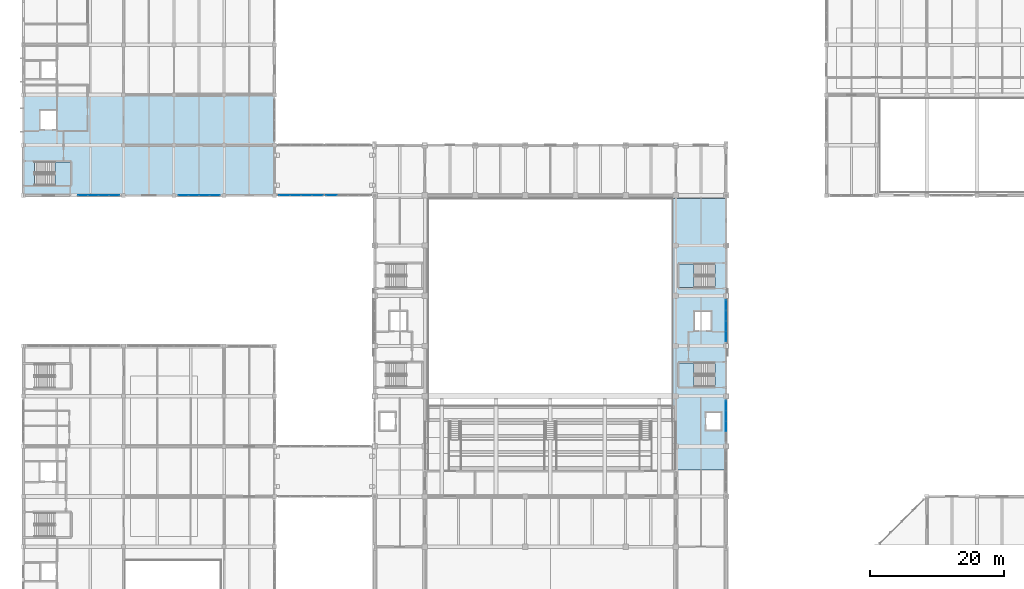
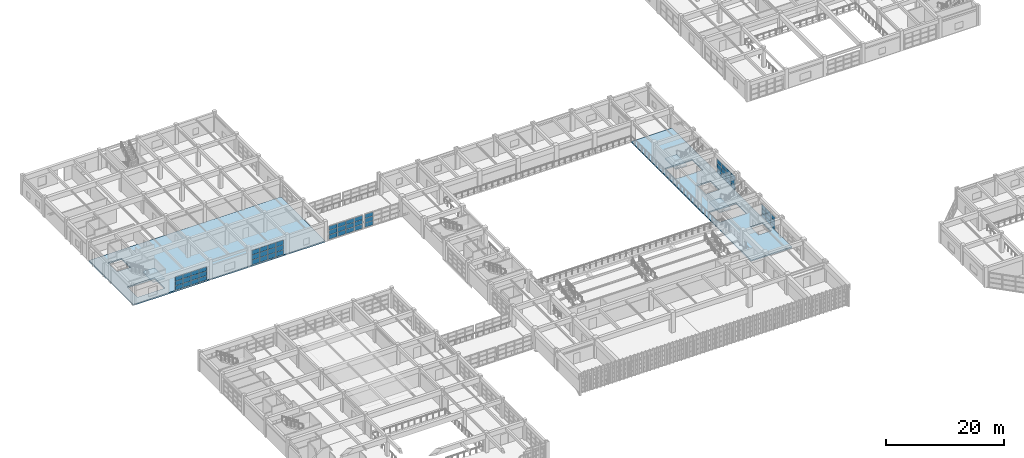
# One storey, part 82 of 124: 60 plates, 5 slabs, 9 elements without a shape of their own.
"""IFC4 building model written with IfcOpenShell, lengths in metres."""

from ifc_helpers import new_model, si_unit, direction, frame, origin, origin_2d, place, context, subcontext, project, spatial, polyline, rectangle, outline, extrude, material, layer, layer_set, type_object, element, aggregate, save


model = new_model("IFC4")

# Units and contexts
model_context = context("Model", 3, precision=1e-05, world=origin(), true_north=direction((0.0, 1.0)))
body_context = subcontext(model_context, "Body", "Model", "MODEL_VIEW")
ifc_project = project(units=[si_unit("LENGTHUNIT", "METRE"), si_unit("AREAUNIT", "SQUARE_METRE"), si_unit("VOLUMEUNIT", "CUBIC_METRE"), si_unit("PLANEANGLEUNIT", "RADIAN"), si_unit("MASSUNIT", "GRAM", prefix="KILO")], contexts=[model_context])

# Site, building, storey
site_placement = place(None, origin())
site = spatial("IfcSite", under=ifc_project, at=site_placement, CompositionType="ELEMENT")
building_placement = place(site_placement, origin())
building = spatial("IfcBuilding", under=site, at=building_placement, Name="Qasida Concert Hall", CompositionType="ELEMENT")
storey_placement = place(building_placement, frame((0.0, 0.0, 9.0)))
storey = spatial("IfcBuildingStorey", under=building, at=storey_placement, Name="L02", CompositionType="ELEMENT", Elevation=9.0)

# Curtain wall, plates
ifc_material_1 = material(Name="Architectural bronze-anodized aluminium and low-E glass", Category="aluminium")
curtain_wall_type_1 = type_object("IfcCurtainWallType", Name="CW-03", PredefinedType="NOTDEFINED", material=ifc_material_1)
curtain_wall_1_placement = place(storey_placement, origin())
curtain_wall_1 = element("IfcCurtainWall", 1, at=curtain_wall_1_placement, inside=storey, type_object=curtain_wall_type_1, Name="L02 curtain wall CW-03 0048", PredefinedType="NOTDEFINED")
ifc_material_2 = material(Name="Solar-control low-E double glazing", Category="glass")
ifc_layer_1 = layer(ifc_material_2, 0.031982421875, Name="Solar-control low-E double glazing")
ifc_layer_set_1 = layer_set([ifc_layer_1], Name="Solar-control low-E double glazing")
plate_type_1 = type_object("IfcPlateType", Name="PLT-CWP-2", PredefinedType="CURTAIN_PANEL", material=ifc_layer_set_1)
plate_1_placement = place(storey_placement, frame((105.0, 40.467529296875, 0.06005859375), z_axis=(0.0, 0.0, 1.0), x_axis=(0.0, 1.0, 0.0)))
plate_1 = element("IfcPlate", 2, at=plate_1_placement, type_object=plate_type_1, Name="CW-03 panel 2.1", PredefinedType="CURTAIN_PANEL", context=body_context, shape_type="SweptSolid", body=[
    extrude(rectangle(XDim=1.5, YDim=0.031982421875, at=origin_2d()), origin(), (0.0, 0.0, 1.0), 0.806640625),
])
plate_2_placement = place(storey_placement, frame((105.0, 40.467529296875, 0.9267578125), z_axis=(0.0, 0.0, 1.0), x_axis=(0.0, 1.0, 0.0)))
plate_2 = element("IfcPlate", 3, at=plate_2_placement, type_object=plate_type_1, Name="CW-03 panel 2.2", PredefinedType="CURTAIN_PANEL", context=body_context, shape_type="SweptSolid", body=[
    extrude(rectangle(XDim=1.5, YDim=0.031982421875, at=origin_2d()), origin(), (0.0, 0.0, 1.0), 0.836669921875),
])
plate_3_placement = place(storey_placement, frame((105.0, 40.467529296875, 1.8232421875), z_axis=(0.0, 0.0, 1.0), x_axis=(0.0, 1.0, 0.0)))
plate_3 = element("IfcPlate", 4, at=plate_3_placement, type_object=plate_type_1, Name="CW-03 panel 2.3", PredefinedType="CURTAIN_PANEL", context=body_context, shape_type="SweptSolid", body=[
    extrude(rectangle(XDim=1.5, YDim=0.031982421875, at=origin_2d()), origin(), (0.0, 0.0, 1.0), 0.806640625),
])
plate_4_placement = place(storey_placement, frame((105.0, 42.032470703125, 0.06005859375), z_axis=(0.0, 0.0, 1.0), x_axis=(0.0, 1.0, 0.0)))
plate_4 = element("IfcPlate", 5, at=plate_4_placement, type_object=plate_type_1, Name="CW-03 panel 3.1", PredefinedType="CURTAIN_PANEL", context=body_context, shape_type="SweptSolid", body=[
    extrude(rectangle(XDim=1.5, YDim=0.031982421875, at=origin_2d()), origin(), (0.0, 0.0, 1.0), 0.806640625),
])
plate_5_placement = place(storey_placement, frame((105.0, 42.032470703125, 0.9267578125), z_axis=(0.0, 0.0, 1.0), x_axis=(0.0, 1.0, 0.0)))
plate_5 = element("IfcPlate", 6, at=plate_5_placement, type_object=plate_type_1, Name="CW-03 panel 3.2", PredefinedType="CURTAIN_PANEL", context=body_context, shape_type="SweptSolid", body=[
    extrude(rectangle(XDim=1.5, YDim=0.031982421875, at=origin_2d()), origin(), (0.0, 0.0, 1.0), 0.836669921875),
])
plate_6_placement = place(storey_placement, frame((105.0, 42.032470703125, 1.8232421875), z_axis=(0.0, 0.0, 1.0), x_axis=(0.0, 1.0, 0.0)))
plate_6 = element("IfcPlate", 7, at=plate_6_placement, type_object=plate_type_1, Name="CW-03 panel 3.3", PredefinedType="CURTAIN_PANEL", context=body_context, shape_type="SweptSolid", body=[
    extrude(rectangle(XDim=1.5, YDim=0.031982421875, at=origin_2d()), origin(), (0.0, 0.0, 1.0), 0.806640625),
])
plate_7_placement = place(storey_placement, frame((105.0, 43.581298828125, 0.06005859375), z_axis=(0.0, 0.0, 1.0), x_axis=(0.0, 1.0, 0.0)))
plate_7 = element("IfcPlate", 8, at=plate_7_placement, type_object=plate_type_1, Name="CW-03 panel 4.1", PredefinedType="CURTAIN_PANEL", context=body_context, shape_type="SweptSolid", body=[
    extrude(rectangle(XDim=1.467529296875, YDim=0.031982421875, at=origin_2d()), origin(), (0.0, 0.0, 1.0), 0.806640625),
])
plate_8_placement = place(storey_placement, frame((105.0, 43.581298828125, 0.9267578125), z_axis=(0.0, 0.0, 1.0), x_axis=(0.0, 1.0, 0.0)))
plate_8 = element("IfcPlate", 9, at=plate_8_placement, type_object=plate_type_1, Name="CW-03 panel 4.2", PredefinedType="CURTAIN_PANEL", context=body_context, shape_type="SweptSolid", body=[
    extrude(rectangle(XDim=1.467529296875, YDim=0.031982421875, at=origin_2d()), origin(), (0.0, 0.0, 1.0), 0.836669921875),
])
plate_9_placement = place(storey_placement, frame((105.0, 43.581298828125, 1.8232421875), z_axis=(0.0, 0.0, 1.0), x_axis=(0.0, 1.0, 0.0)))
plate_9 = element("IfcPlate", 10, at=plate_9_placement, type_object=plate_type_1, Name="CW-03 panel 4.3", PredefinedType="CURTAIN_PANEL", context=body_context, shape_type="SweptSolid", body=[
    extrude(rectangle(XDim=1.467529296875, YDim=0.031982421875, at=origin_2d()), origin(), (0.0, 0.0, 1.0), 0.806640625),
])
aggregate(curtain_wall_1, [plate_1, plate_2, plate_3, plate_4, plate_5, plate_6, plate_7, plate_8, plate_9])

curtain_wall_2_placement = place(storey_placement, origin())
curtain_wall_2 = element("IfcCurtainWall", 11, at=curtain_wall_2_placement, inside=storey, type_object=curtain_wall_type_1, Name="L02 curtain wall CW-03 0050", PredefinedType="NOTDEFINED")
plate_10_placement = place(storey_placement, frame((105.0, 53.918701171875, 0.06005859375), z_axis=(0.0, 0.0, 1.0), x_axis=(0.0, 1.0, 0.0)))
plate_10 = element("IfcPlate", 12, at=plate_10_placement, type_object=plate_type_1, Name="CW-03 panel 1.1", PredefinedType="CURTAIN_PANEL", context=body_context, shape_type="SweptSolid", body=[
    extrude(rectangle(XDim=1.467529296875, YDim=0.031982421875, at=origin_2d()), origin(), (0.0, 0.0, 1.0), 0.88330078125),
])
plate_11_placement = place(storey_placement, frame((105.0, 53.918701171875, 1.00341796875), z_axis=(0.0, 0.0, 1.0), x_axis=(0.0, 1.0, 0.0)))
plate_11 = element("IfcPlate", 13, at=plate_11_placement, type_object=plate_type_1, Name="CW-03 panel 1.2", PredefinedType="CURTAIN_PANEL", context=body_context, shape_type="SweptSolid", body=[
    extrude(rectangle(XDim=1.467529296875, YDim=0.031982421875, at=origin_2d()), origin(), (0.0, 0.0, 1.0), 0.913330078125),
])
plate_12_placement = place(storey_placement, frame((105.0, 53.918701171875, 1.976806640625), z_axis=(0.0, 0.0, 1.0), x_axis=(0.0, 1.0, 0.0)))
plate_12 = element("IfcPlate", 14, at=plate_12_placement, type_object=plate_type_1, Name="CW-03 panel 1.3", PredefinedType="CURTAIN_PANEL", context=body_context, shape_type="SweptSolid", body=[
    extrude(rectangle(XDim=1.467529296875, YDim=0.031982421875, at=origin_2d()), origin(), (0.0, 0.0, 1.0), 0.88330078125),
])
plate_13_placement = place(storey_placement, frame((105.0, 55.467529296875, 0.06005859375), z_axis=(0.0, 0.0, 1.0), x_axis=(0.0, 1.0, 0.0)))
plate_13 = element("IfcPlate", 15, at=plate_13_placement, type_object=plate_type_1, Name="CW-03 panel 2.1", PredefinedType="CURTAIN_PANEL", context=body_context, shape_type="SweptSolid", body=[
    extrude(rectangle(XDim=1.5, YDim=0.031982421875, at=origin_2d()), origin(), (0.0, 0.0, 1.0), 0.88330078125),
])
plate_14_placement = place(storey_placement, frame((105.0, 55.467529296875, 1.00341796875), z_axis=(0.0, 0.0, 1.0), x_axis=(0.0, 1.0, 0.0)))
plate_14 = element("IfcPlate", 16, at=plate_14_placement, type_object=plate_type_1, Name="CW-03 panel 2.2", PredefinedType="CURTAIN_PANEL", context=body_context, shape_type="SweptSolid", body=[
    extrude(rectangle(XDim=1.5, YDim=0.031982421875, at=origin_2d()), origin(), (0.0, 0.0, 1.0), 0.913330078125),
])
plate_15_placement = place(storey_placement, frame((105.0, 55.467529296875, 1.976806640625), z_axis=(0.0, 0.0, 1.0), x_axis=(0.0, 1.0, 0.0)))
plate_15 = element("IfcPlate", 17, at=plate_15_placement, type_object=plate_type_1, Name="CW-03 panel 2.3", PredefinedType="CURTAIN_PANEL", context=body_context, shape_type="SweptSolid", body=[
    extrude(rectangle(XDim=1.5, YDim=0.031982421875, at=origin_2d()), origin(), (0.0, 0.0, 1.0), 0.88330078125),
])
plate_16_placement = place(storey_placement, frame((105.0, 57.032470703125, 0.06005859375), z_axis=(0.0, 0.0, 1.0), x_axis=(0.0, 1.0, 0.0)))
plate_16 = element("IfcPlate", 18, at=plate_16_placement, type_object=plate_type_1, Name="CW-03 panel 3.1", PredefinedType="CURTAIN_PANEL", context=body_context, shape_type="SweptSolid", body=[
    extrude(rectangle(XDim=1.5, YDim=0.031982421875, at=origin_2d()), origin(), (0.0, 0.0, 1.0), 0.88330078125),
])
plate_17_placement = place(storey_placement, frame((105.0, 57.032470703125, 1.00341796875), z_axis=(0.0, 0.0, 1.0), x_axis=(0.0, 1.0, 0.0)))
plate_17 = element("IfcPlate", 19, at=plate_17_placement, type_object=plate_type_1, Name="CW-03 panel 3.2", PredefinedType="CURTAIN_PANEL", context=body_context, shape_type="SweptSolid", body=[
    extrude(rectangle(XDim=1.5, YDim=0.031982421875, at=origin_2d()), origin(), (0.0, 0.0, 1.0), 0.913330078125),
])
plate_18_placement = place(storey_placement, frame((105.0, 57.032470703125, 1.976806640625), z_axis=(0.0, 0.0, 1.0), x_axis=(0.0, 1.0, 0.0)))
plate_18 = element("IfcPlate", 20, at=plate_18_placement, type_object=plate_type_1, Name="CW-03 panel 3.3", PredefinedType="CURTAIN_PANEL", context=body_context, shape_type="SweptSolid", body=[
    extrude(rectangle(XDim=1.5, YDim=0.031982421875, at=origin_2d()), origin(), (0.0, 0.0, 1.0), 0.88330078125),
])
plate_19_placement = place(storey_placement, frame((105.0, 58.581298828125, 0.06005859375), z_axis=(0.0, 0.0, 1.0), x_axis=(0.0, 1.0, 0.0)))
plate_19 = element("IfcPlate", 21, at=plate_19_placement, type_object=plate_type_1, Name="CW-03 panel 4.1", PredefinedType="CURTAIN_PANEL", context=body_context, shape_type="SweptSolid", body=[
    extrude(rectangle(XDim=1.467529296875, YDim=0.031982421875, at=origin_2d()), origin(), (0.0, 0.0, 1.0), 0.88330078125),
])
plate_20_placement = place(storey_placement, frame((105.0, 58.581298828125, 1.00341796875), z_axis=(0.0, 0.0, 1.0), x_axis=(0.0, 1.0, 0.0)))
plate_20 = element("IfcPlate", 22, at=plate_20_placement, type_object=plate_type_1, Name="CW-03 panel 4.2", PredefinedType="CURTAIN_PANEL", context=body_context, shape_type="SweptSolid", body=[
    extrude(rectangle(XDim=1.467529296875, YDim=0.031982421875, at=origin_2d()), origin(), (0.0, 0.0, 1.0), 0.913330078125),
])
plate_21_placement = place(storey_placement, frame((105.0, 58.581298828125, 1.976806640625), z_axis=(0.0, 0.0, 1.0), x_axis=(0.0, 1.0, 0.0)))
plate_21 = element("IfcPlate", 23, at=plate_21_placement, type_object=plate_type_1, Name="CW-03 panel 4.3", PredefinedType="CURTAIN_PANEL", context=body_context, shape_type="SweptSolid", body=[
    extrude(rectangle(XDim=1.467529296875, YDim=0.031982421875, at=origin_2d()), origin(), (0.0, 0.0, 1.0), 0.88330078125),
])
aggregate(curtain_wall_2, [plate_10, plate_11, plate_12, plate_13, plate_14, plate_15, plate_16, plate_17, plate_18, plate_19, plate_20, plate_21])

curtain_wall_type_2 = type_object("IfcCurtainWallType", Name="CW-08", PredefinedType="NOTDEFINED", material=ifc_material_1)
curtain_wall_3_placement = place(storey_placement, origin())
curtain_wall_3 = element("IfcCurtainWall", 24, at=curtain_wall_3_placement, inside=storey, type_object=curtain_wall_type_2, Name="L02 curtain wall CW-08 0188", PredefinedType="NOTDEFINED")
ifc_layer_2 = layer(ifc_material_2, 0.02392578125, Name="Solar-control low-E double glazing")
ifc_layer_set_2 = layer_set([ifc_layer_2], Name="Solar-control low-E double glazing")
plate_type_2 = type_object("IfcPlateType", Name="PLT-CWP-5", PredefinedType="CURTAIN_PANEL", material=ifc_layer_set_2)
plate_22_placement = place(storey_placement, frame((8.918701171875, 75.0, 0.06005859375), z_axis=(0.0, 0.0, 1.0), x_axis=(1.0, 0.0, 0.0)))
plate_22 = element("IfcPlate", 25, at=plate_22_placement, type_object=plate_type_2, Name="CW-08 panel 1.1", PredefinedType="CURTAIN_PANEL", context=body_context, shape_type="SweptSolid", body=[
    extrude(rectangle(XDim=1.467529296875, YDim=0.02392578125, at=origin_2d()), origin(), (0.0, 0.0, 1.0), 0.86669921875),
])
plate_23_placement = place(storey_placement, frame((8.918701171875, 75.0, 0.98681640625), z_axis=(0.0, 0.0, 1.0), x_axis=(1.0, 0.0, 0.0)))
plate_23 = element("IfcPlate", 26, at=plate_23_placement, type_object=plate_type_2, Name="CW-08 panel 1.2", PredefinedType="CURTAIN_PANEL", context=body_context, shape_type="SweptSolid", body=[
    extrude(rectangle(XDim=1.467529296875, YDim=0.02392578125, at=origin_2d()), origin(), (0.0, 0.0, 1.0), 0.896484375),
])
plate_24_placement = place(storey_placement, frame((8.918701171875, 75.0, 1.943359375), z_axis=(0.0, 0.0, 1.0), x_axis=(1.0, 0.0, 0.0)))
plate_24 = element("IfcPlate", 27, at=plate_24_placement, type_object=plate_type_2, Name="CW-08 panel 1.3", PredefinedType="CURTAIN_PANEL", context=body_context, shape_type="SweptSolid", body=[
    extrude(rectangle(XDim=1.467529296875, YDim=0.02392578125, at=origin_2d()), origin(), (0.0, 0.0, 1.0), 0.86669921875),
])
plate_25_placement = place(storey_placement, frame((10.467529296875, 75.0, 0.06005859375), z_axis=(0.0, 0.0, 1.0), x_axis=(1.0, 0.0, 0.0)))
plate_25 = element("IfcPlate", 28, at=plate_25_placement, type_object=plate_type_2, Name="CW-08 panel 2.1", PredefinedType="CURTAIN_PANEL", context=body_context, shape_type="SweptSolid", body=[
    extrude(rectangle(XDim=1.5, YDim=0.02392578125, at=origin_2d()), origin(), (0.0, 0.0, 1.0), 0.86669921875),
])
plate_26_placement = place(storey_placement, frame((10.467529296875, 75.0, 0.98681640625), z_axis=(0.0, 0.0, 1.0), x_axis=(1.0, 0.0, 0.0)))
plate_26 = element("IfcPlate", 29, at=plate_26_placement, type_object=plate_type_2, Name="CW-08 panel 2.2", PredefinedType="CURTAIN_PANEL", context=body_context, shape_type="SweptSolid", body=[
    extrude(rectangle(XDim=1.5, YDim=0.02392578125, at=origin_2d()), origin(), (0.0, 0.0, 1.0), 0.896484375),
])
plate_27_placement = place(storey_placement, frame((10.467529296875, 75.0, 1.943359375), z_axis=(0.0, 0.0, 1.0), x_axis=(1.0, 0.0, 0.0)))
plate_27 = element("IfcPlate", 30, at=plate_27_placement, type_object=plate_type_2, Name="CW-08 panel 2.3", PredefinedType="CURTAIN_PANEL", context=body_context, shape_type="SweptSolid", body=[
    extrude(rectangle(XDim=1.5, YDim=0.02392578125, at=origin_2d()), origin(), (0.0, 0.0, 1.0), 0.86669921875),
])
plate_28_placement = place(storey_placement, frame((12.032470703125, 75.0, 0.06005859375), z_axis=(0.0, 0.0, 1.0), x_axis=(1.0, 0.0, 0.0)))
plate_28 = element("IfcPlate", 31, at=plate_28_placement, type_object=plate_type_2, Name="CW-08 panel 3.1", PredefinedType="CURTAIN_PANEL", context=body_context, shape_type="SweptSolid", body=[
    extrude(rectangle(XDim=1.5, YDim=0.02392578125, at=origin_2d()), origin(), (0.0, 0.0, 1.0), 0.86669921875),
])
plate_29_placement = place(storey_placement, frame((12.032470703125, 75.0, 0.98681640625), z_axis=(0.0, 0.0, 1.0), x_axis=(1.0, 0.0, 0.0)))
plate_29 = element("IfcPlate", 32, at=plate_29_placement, type_object=plate_type_2, Name="CW-08 panel 3.2", PredefinedType="CURTAIN_PANEL", context=body_context, shape_type="SweptSolid", body=[
    extrude(rectangle(XDim=1.5, YDim=0.02392578125, at=origin_2d()), origin(), (0.0, 0.0, 1.0), 0.896484375),
])
plate_30_placement = place(storey_placement, frame((12.032470703125, 75.0, 1.943359375), z_axis=(0.0, 0.0, 1.0), x_axis=(1.0, 0.0, 0.0)))
plate_30 = element("IfcPlate", 33, at=plate_30_placement, type_object=plate_type_2, Name="CW-08 panel 3.3", PredefinedType="CURTAIN_PANEL", context=body_context, shape_type="SweptSolid", body=[
    extrude(rectangle(XDim=1.5, YDim=0.02392578125, at=origin_2d()), origin(), (0.0, 0.0, 1.0), 0.86669921875),
])
plate_31_placement = place(storey_placement, frame((13.581298828125, 75.0, 0.06005859375), z_axis=(0.0, 0.0, 1.0), x_axis=(1.0, 0.0, 0.0)))
plate_31 = element("IfcPlate", 34, at=plate_31_placement, type_object=plate_type_2, Name="CW-08 panel 4.1", PredefinedType="CURTAIN_PANEL", context=body_context, shape_type="SweptSolid", body=[
    extrude(rectangle(XDim=1.467529296875, YDim=0.02392578125, at=origin_2d()), origin(), (0.0, 0.0, 1.0), 0.86669921875),
])
plate_32_placement = place(storey_placement, frame((13.581298828125, 75.0, 0.98681640625), z_axis=(0.0, 0.0, 1.0), x_axis=(1.0, 0.0, 0.0)))
plate_32 = element("IfcPlate", 35, at=plate_32_placement, type_object=plate_type_2, Name="CW-08 panel 4.2", PredefinedType="CURTAIN_PANEL", context=body_context, shape_type="SweptSolid", body=[
    extrude(rectangle(XDim=1.467529296875, YDim=0.02392578125, at=origin_2d()), origin(), (0.0, 0.0, 1.0), 0.896484375),
])
plate_33_placement = place(storey_placement, frame((13.581298828125, 75.0, 1.943359375), z_axis=(0.0, 0.0, 1.0), x_axis=(1.0, 0.0, 0.0)))
plate_33 = element("IfcPlate", 36, at=plate_33_placement, type_object=plate_type_2, Name="CW-08 panel 4.3", PredefinedType="CURTAIN_PANEL", context=body_context, shape_type="SweptSolid", body=[
    extrude(rectangle(XDim=1.467529296875, YDim=0.02392578125, at=origin_2d()), origin(), (0.0, 0.0, 1.0), 0.86669921875),
])
aggregate(curtain_wall_3, [plate_22, plate_23, plate_24, plate_25, plate_26, plate_27, plate_28, plate_29, plate_30, plate_31, plate_32, plate_33])

curtain_wall_4_placement = place(storey_placement, origin())
curtain_wall_4 = element("IfcCurtainWall", 37, at=curtain_wall_4_placement, inside=storey, type_object=curtain_wall_type_2, Name="L02 curtain wall CW-08 0189", PredefinedType="NOTDEFINED")
plate_34_placement = place(storey_placement, frame((23.918701171875, 75.0, 0.06005859375), z_axis=(0.0, 0.0, 1.0), x_axis=(1.0, 0.0, 0.0)))
plate_34 = element("IfcPlate", 38, at=plate_34_placement, type_object=plate_type_2, Name="CW-08 panel 1.1", PredefinedType="CURTAIN_PANEL", context=body_context, shape_type="SweptSolid", body=[
    extrude(rectangle(XDim=1.467529296875, YDim=0.02392578125, at=origin_2d()), origin(), (0.0, 0.0, 1.0), 0.949951171875),
])
plate_35_placement = place(storey_placement, frame((23.918701171875, 75.0, 1.070068359375), z_axis=(0.0, 0.0, 1.0), x_axis=(1.0, 0.0, 0.0)))
plate_35 = element("IfcPlate", 39, at=plate_35_placement, type_object=plate_type_2, Name="CW-08 panel 1.2", PredefinedType="CURTAIN_PANEL", context=body_context, shape_type="SweptSolid", body=[
    extrude(rectangle(XDim=1.467529296875, YDim=0.02392578125, at=origin_2d()), origin(), (0.0, 0.0, 1.0), 0.97998046875),
])
plate_36_placement = place(storey_placement, frame((23.918701171875, 75.0, 2.10986328125), z_axis=(0.0, 0.0, 1.0), x_axis=(1.0, 0.0, 0.0)))
plate_36 = element("IfcPlate", 40, at=plate_36_placement, type_object=plate_type_2, Name="CW-08 panel 1.3", PredefinedType="CURTAIN_PANEL", context=body_context, shape_type="SweptSolid", body=[
    extrude(rectangle(XDim=1.467529296875, YDim=0.02392578125, at=origin_2d()), origin(), (0.0, 0.0, 1.0), 0.949951171875),
])
plate_37_placement = place(storey_placement, frame((25.467529296875, 75.0, 0.06005859375), z_axis=(0.0, 0.0, 1.0), x_axis=(1.0, 0.0, 0.0)))
plate_37 = element("IfcPlate", 41, at=plate_37_placement, type_object=plate_type_2, Name="CW-08 panel 2.1", PredefinedType="CURTAIN_PANEL", context=body_context, shape_type="SweptSolid", body=[
    extrude(rectangle(XDim=1.5, YDim=0.02392578125, at=origin_2d()), origin(), (0.0, 0.0, 1.0), 0.949951171875),
])
plate_38_placement = place(storey_placement, frame((25.467529296875, 75.0, 1.070068359375), z_axis=(0.0, 0.0, 1.0), x_axis=(1.0, 0.0, 0.0)))
plate_38 = element("IfcPlate", 42, at=plate_38_placement, type_object=plate_type_2, Name="CW-08 panel 2.2", PredefinedType="CURTAIN_PANEL", context=body_context, shape_type="SweptSolid", body=[
    extrude(rectangle(XDim=1.5, YDim=0.02392578125, at=origin_2d()), origin(), (0.0, 0.0, 1.0), 0.97998046875),
])
plate_39_placement = place(storey_placement, frame((25.467529296875, 75.0, 2.10986328125), z_axis=(0.0, 0.0, 1.0), x_axis=(1.0, 0.0, 0.0)))
plate_39 = element("IfcPlate", 43, at=plate_39_placement, type_object=plate_type_2, Name="CW-08 panel 2.3", PredefinedType="CURTAIN_PANEL", context=body_context, shape_type="SweptSolid", body=[
    extrude(rectangle(XDim=1.5, YDim=0.02392578125, at=origin_2d()), origin(), (0.0, 0.0, 1.0), 0.949951171875),
])
plate_40_placement = place(storey_placement, frame((27.032470703125, 75.0, 0.06005859375), z_axis=(0.0, 0.0, 1.0), x_axis=(1.0, 0.0, 0.0)))
plate_40 = element("IfcPlate", 44, at=plate_40_placement, type_object=plate_type_2, Name="CW-08 panel 3.1", PredefinedType="CURTAIN_PANEL", context=body_context, shape_type="SweptSolid", body=[
    extrude(rectangle(XDim=1.5, YDim=0.02392578125, at=origin_2d()), origin(), (0.0, 0.0, 1.0), 0.949951171875),
])
plate_41_placement = place(storey_placement, frame((27.032470703125, 75.0, 1.070068359375), z_axis=(0.0, 0.0, 1.0), x_axis=(1.0, 0.0, 0.0)))
plate_41 = element("IfcPlate", 45, at=plate_41_placement, type_object=plate_type_2, Name="CW-08 panel 3.2", PredefinedType="CURTAIN_PANEL", context=body_context, shape_type="SweptSolid", body=[
    extrude(rectangle(XDim=1.5, YDim=0.02392578125, at=origin_2d()), origin(), (0.0, 0.0, 1.0), 0.97998046875),
])
plate_42_placement = place(storey_placement, frame((27.032470703125, 75.0, 2.10986328125), z_axis=(0.0, 0.0, 1.0), x_axis=(1.0, 0.0, 0.0)))
plate_42 = element("IfcPlate", 46, at=plate_42_placement, type_object=plate_type_2, Name="CW-08 panel 3.3", PredefinedType="CURTAIN_PANEL", context=body_context, shape_type="SweptSolid", body=[
    extrude(rectangle(XDim=1.5, YDim=0.02392578125, at=origin_2d()), origin(), (0.0, 0.0, 1.0), 0.949951171875),
])
plate_43_placement = place(storey_placement, frame((28.581298828125, 75.0, 0.06005859375), z_axis=(0.0, 0.0, 1.0), x_axis=(1.0, 0.0, 0.0)))
plate_43 = element("IfcPlate", 47, at=plate_43_placement, type_object=plate_type_2, Name="CW-08 panel 4.1", PredefinedType="CURTAIN_PANEL", context=body_context, shape_type="SweptSolid", body=[
    extrude(rectangle(XDim=1.467529296875, YDim=0.02392578125, at=origin_2d()), origin(), (0.0, 0.0, 1.0), 0.949951171875),
])
plate_44_placement = place(storey_placement, frame((28.581298828125, 75.0, 1.070068359375), z_axis=(0.0, 0.0, 1.0), x_axis=(1.0, 0.0, 0.0)))
plate_44 = element("IfcPlate", 48, at=plate_44_placement, type_object=plate_type_2, Name="CW-08 panel 4.2", PredefinedType="CURTAIN_PANEL", context=body_context, shape_type="SweptSolid", body=[
    extrude(rectangle(XDim=1.467529296875, YDim=0.02392578125, at=origin_2d()), origin(), (0.0, 0.0, 1.0), 0.97998046875),
])
plate_45_placement = place(storey_placement, frame((28.581298828125, 75.0, 2.10986328125), z_axis=(0.0, 0.0, 1.0), x_axis=(1.0, 0.0, 0.0)))
plate_45 = element("IfcPlate", 49, at=plate_45_placement, type_object=plate_type_2, Name="CW-08 panel 4.3", PredefinedType="CURTAIN_PANEL", context=body_context, shape_type="SweptSolid", body=[
    extrude(rectangle(XDim=1.467529296875, YDim=0.02392578125, at=origin_2d()), origin(), (0.0, 0.0, 1.0), 0.949951171875),
])
aggregate(curtain_wall_4, [plate_34, plate_35, plate_36, plate_37, plate_38, plate_39, plate_40, plate_41, plate_42, plate_43, plate_44, plate_45])

curtain_wall_5_placement = place(storey_placement, origin())
curtain_wall_5 = element("IfcCurtainWall", 50, at=curtain_wall_5_placement, inside=storey, type_object=curtain_wall_type_2, Name="L02 link bridge glazing 0218", PredefinedType="NOTDEFINED")
plate_46_placement = place(storey_placement, frame((39.041259765625, 75.0, 0.06005859375), z_axis=(0.0, 0.0, 1.0), x_axis=(1.0, 0.0, 0.0)))
plate_46 = element("IfcPlate", 51, at=plate_46_placement, type_object=plate_type_2, Name="CW-08 panel 1.1", PredefinedType="CURTAIN_PANEL", context=body_context, shape_type="SweptSolid", body=[
    extrude(rectangle(XDim=1.552490234375, YDim=0.02392578125, at=origin_2d()), origin(), (0.0, 0.0, 1.0), 0.860107421875),
])
plate_47_placement = place(storey_placement, frame((39.041259765625, 75.0, 0.97998046875), z_axis=(0.0, 0.0, 1.0), x_axis=(1.0, 0.0, 0.0)))
plate_47 = element("IfcPlate", 52, at=plate_47_placement, type_object=plate_type_2, Name="CW-08 panel 1.2", PredefinedType="CURTAIN_PANEL", context=body_context, shape_type="SweptSolid", body=[
    extrude(rectangle(XDim=1.552490234375, YDim=0.02392578125, at=origin_2d()), origin(), (0.0, 0.0, 1.0), 0.889892578125),
])
plate_48_placement = place(storey_placement, frame((39.041259765625, 75.0, 1.929931640625), z_axis=(0.0, 0.0, 1.0), x_axis=(1.0, 0.0, 0.0)))
plate_48 = element("IfcPlate", 53, at=plate_48_placement, type_object=plate_type_2, Name="CW-08 panel 1.3", PredefinedType="CURTAIN_PANEL", context=body_context, shape_type="SweptSolid", body=[
    extrude(rectangle(XDim=1.552490234375, YDim=0.02392578125, at=origin_2d()), origin(), (0.0, 0.0, 1.0), 0.81005859375),
])
plate_49_placement = place(storey_placement, frame((40.675048828125, 75.0, 0.06005859375), z_axis=(0.0, 0.0, 1.0), x_axis=(1.0, 0.0, 0.0)))
plate_49 = element("IfcPlate", 54, at=plate_49_placement, type_object=plate_type_2, Name="CW-08 panel 2.1", PredefinedType="CURTAIN_PANEL", context=body_context, shape_type="SweptSolid", body=[
    extrude(rectangle(XDim=1.5849609375, YDim=0.02392578125, at=origin_2d()), origin(), (0.0, 0.0, 1.0), 0.860107421875),
])
plate_50_placement = place(storey_placement, frame((40.675048828125, 75.0, 0.97998046875), z_axis=(0.0, 0.0, 1.0), x_axis=(1.0, 0.0, 0.0)))
plate_50 = element("IfcPlate", 55, at=plate_50_placement, type_object=plate_type_2, Name="CW-08 panel 2.2", PredefinedType="CURTAIN_PANEL", context=body_context, shape_type="SweptSolid", body=[
    extrude(rectangle(XDim=1.5849609375, YDim=0.02392578125, at=origin_2d()), origin(), (0.0, 0.0, 1.0), 0.889892578125),
])
plate_51_placement = place(storey_placement, frame((40.675048828125, 75.0, 1.929931640625), z_axis=(0.0, 0.0, 1.0), x_axis=(1.0, 0.0, 0.0)))
plate_51 = element("IfcPlate", 56, at=plate_51_placement, type_object=plate_type_2, Name="CW-08 panel 2.3", PredefinedType="CURTAIN_PANEL", context=body_context, shape_type="SweptSolid", body=[
    extrude(rectangle(XDim=1.5849609375, YDim=0.02392578125, at=origin_2d()), origin(), (0.0, 0.0, 1.0), 0.81005859375),
])
plate_52_placement = place(storey_placement, frame((42.324951171875, 75.0, 0.06005859375), z_axis=(0.0, 0.0, 1.0), x_axis=(1.0, 0.0, 0.0)))
plate_52 = element("IfcPlate", 57, at=plate_52_placement, type_object=plate_type_2, Name="CW-08 panel 3.1", PredefinedType="CURTAIN_PANEL", context=body_context, shape_type="SweptSolid", body=[
    extrude(rectangle(XDim=1.5849609375, YDim=0.02392578125, at=origin_2d()), origin(), (0.0, 0.0, 1.0), 0.860107421875),
])
plate_53_placement = place(storey_placement, frame((42.324951171875, 75.0, 0.97998046875), z_axis=(0.0, 0.0, 1.0), x_axis=(1.0, 0.0, 0.0)))
plate_53 = element("IfcPlate", 58, at=plate_53_placement, type_object=plate_type_2, Name="CW-08 panel 3.2", PredefinedType="CURTAIN_PANEL", context=body_context, shape_type="SweptSolid", body=[
    extrude(rectangle(XDim=1.5849609375, YDim=0.02392578125, at=origin_2d()), origin(), (0.0, 0.0, 1.0), 0.889892578125),
])
plate_54_placement = place(storey_placement, frame((42.324951171875, 75.0, 1.929931640625), z_axis=(0.0, 0.0, 1.0), x_axis=(1.0, 0.0, 0.0)))
plate_54 = element("IfcPlate", 59, at=plate_54_placement, type_object=plate_type_2, Name="CW-08 panel 3.3", PredefinedType="CURTAIN_PANEL", context=body_context, shape_type="SweptSolid", body=[
    extrude(rectangle(XDim=1.5849609375, YDim=0.02392578125, at=origin_2d()), origin(), (0.0, 0.0, 1.0), 0.81005859375),
])
plate_55_placement = place(storey_placement, frame((43.958740234375, 75.0, 0.06005859375), z_axis=(0.0, 0.0, 1.0), x_axis=(1.0, 0.0, 0.0)))
plate_55 = element("IfcPlate", 60, at=plate_55_placement, type_object=plate_type_2, Name="CW-08 panel 4.1", PredefinedType="CURTAIN_PANEL", context=body_context, shape_type="SweptSolid", body=[
    extrude(rectangle(XDim=1.552490234375, YDim=0.02392578125, at=origin_2d()), origin(), (0.0, 0.0, 1.0), 0.860107421875),
])
plate_56_placement = place(storey_placement, frame((43.958740234375, 75.0, 0.97998046875), z_axis=(0.0, 0.0, 1.0), x_axis=(1.0, 0.0, 0.0)))
plate_56 = element("IfcPlate", 61, at=plate_56_placement, type_object=plate_type_2, Name="CW-08 panel 4.2", PredefinedType="CURTAIN_PANEL", context=body_context, shape_type="SweptSolid", body=[
    extrude(rectangle(XDim=1.552490234375, YDim=0.02392578125, at=origin_2d()), origin(), (0.0, 0.0, 1.0), 0.889892578125),
])
plate_57_placement = place(storey_placement, frame((43.958740234375, 75.0, 1.929931640625), z_axis=(0.0, 0.0, 1.0), x_axis=(1.0, 0.0, 0.0)))
plate_57 = element("IfcPlate", 62, at=plate_57_placement, type_object=plate_type_2, Name="CW-08 panel 4.3", PredefinedType="CURTAIN_PANEL", context=body_context, shape_type="SweptSolid", body=[
    extrude(rectangle(XDim=1.552490234375, YDim=0.02392578125, at=origin_2d()), origin(), (0.0, 0.0, 1.0), 0.81005859375),
])
aggregate(curtain_wall_5, [plate_46, plate_47, plate_48, plate_49, plate_50, plate_51, plate_52, plate_53, plate_54, plate_55, plate_56, plate_57])

curtain_wall_6_placement = place(storey_placement, origin())
curtain_wall_6 = element("IfcCurtainWall", 63, at=curtain_wall_6_placement, inside=storey, type_object=curtain_wall_type_2, Name="L02 link bridge glazing 0220", PredefinedType="NOTDEFINED")
plate_58_placement = place(storey_placement, frame((46.041259765625, 75.0, 0.06005859375), z_axis=(0.0, 0.0, 1.0), x_axis=(1.0, 0.0, 0.0)))
plate_58 = element("IfcPlate", 64, at=plate_58_placement, type_object=plate_type_2, Name="CW-08 panel 1.1", PredefinedType="CURTAIN_PANEL", context=body_context, shape_type="SweptSolid", body=[
    extrude(rectangle(XDim=1.552490234375, YDim=0.02392578125, at=origin_2d()), origin(), (0.0, 0.0, 1.0), 0.860107421875),
])
plate_59_placement = place(storey_placement, frame((46.041259765625, 75.0, 0.97998046875), z_axis=(0.0, 0.0, 1.0), x_axis=(1.0, 0.0, 0.0)))
plate_59 = element("IfcPlate", 65, at=plate_59_placement, type_object=plate_type_2, Name="CW-08 panel 1.2", PredefinedType="CURTAIN_PANEL", context=body_context, shape_type="SweptSolid", body=[
    extrude(rectangle(XDim=1.552490234375, YDim=0.02392578125, at=origin_2d()), origin(), (0.0, 0.0, 1.0), 0.889892578125),
])
plate_60_placement = place(storey_placement, frame((46.041259765625, 75.0, 1.929931640625), z_axis=(0.0, 0.0, 1.0), x_axis=(1.0, 0.0, 0.0)))
plate_60 = element("IfcPlate", 66, at=plate_60_placement, type_object=plate_type_2, Name="CW-08 panel 1.3", PredefinedType="CURTAIN_PANEL", context=body_context, shape_type="SweptSolid", body=[
    extrude(rectangle(XDim=1.552490234375, YDim=0.02392578125, at=origin_2d()), origin(), (0.0, 0.0, 1.0), 0.81005859375),
])
aggregate(curtain_wall_6, [plate_58, plate_59, plate_60])

# Slabs
ifc_material_3 = material(Name="Concrete C40/50", Category="concrete")
ifc_layer_3 = layer(ifc_material_3, 0.260009765625, Name="Concrete C40/50")
ifc_layer_set_3 = layer_set([ifc_layer_3], Name="Concrete C40/50")
slab_type_1 = type_object("IfcSlabType", Name="SL-FS-260", PredefinedType="FLOOR", material=ifc_layer_set_3)
slab_1_placement = place(storey_placement, frame((0.0, 0.0, -0.260009765625)))
element("IfcSlab", 67, at=slab_1_placement, inside=storey, type_object=slab_type_1, Name="V1 first balcony east gallery (FS-260)", PredefinedType="FLOOR", context=body_context, shape_type="SweptSolid", body=[
    extrude(outline(polyline([(97.0, 34.0), (105.0, 34.0), (105.0, 74.5), (97.0, 74.5), (97.0, 34.0)]), holes=[polyline([(101.89990234375, 39.85009765625), (104.300048828125, 39.85009765625), (104.300048828125, 42.64990234375), (101.89990234375, 42.64990234375), (101.89990234375, 39.85009765625)]), polyline([(97.97998046875, 46.39990234375), (103.31005859375, 46.39990234375), (103.31005859375, 49.9599609375), (97.97998046875, 49.9599609375), (97.97998046875, 46.39990234375)]), polyline([(100.199951171875, 54.75), (102.800048828125, 54.75), (102.800048828125, 57.75), (100.199951171875, 57.75), (100.199951171875, 54.75)]), polyline([(97.97998046875, 61.199951171875), (103.31005859375, 61.199951171875), (103.31005859375, 64.760009765625), (97.97998046875, 64.760009765625), (97.97998046875, 61.199951171875)])]), origin(), (0.0, 0.0, 1.0), 0.260009765625),
])
slab_2_placement = place(storey_placement, frame((0.0, 0.0, -0.260009765625)))
element("IfcSlab", 68, at=slab_2_placement, inside=storey, type_object=slab_type_1, Name="V5 green room south (FS-260)", PredefinedType="FLOOR", context=body_context, shape_type="SweptSolid", body=[
    extrude(outline(polyline([(0.0, 75.0), (37.5, 75.0), (37.5, 90.0), (0.0, 90.0), (0.0, 75.0)]), holes=[polyline([(1.659912109375, 76.5), (7.02001953125, 76.5), (7.02001953125, 80.0), (1.659912109375, 80.0), (1.659912109375, 76.5)]), polyline([(2.449951171875, 84.75), (5.050048828125, 84.75), (5.050048828125, 87.75), (2.449951171875, 87.75), (2.449951171875, 84.75)])]), origin(), (0.0, 0.0, 1.0), 0.260009765625),
])

# Stair, slab
stair_type_1 = type_object("IfcStairType", Name="ST-DL-168", PredefinedType="HALF_TURN_STAIR", material=ifc_material_3)
stair_1_placement = place(storey_placement, origin())
stair_1 = element("IfcStair", 69, at=stair_1_placement, inside=storey, type_object=stair_type_1, Name="L02 Exit stair ST-02", PredefinedType="HALF_TURN_STAIR")
ifc_layer_4 = layer(ifc_material_3, 0.199951171875, Name="Concrete C40/50")
ifc_layer_set_4 = layer_set([ifc_layer_4], Name="Concrete C40/50")
slab_type_2 = type_object("IfcSlabType", Name="SL-LND-200", PredefinedType="LANDING", material=ifc_layer_set_4)
slab_3_placement = place(storey_placement, frame((0.0, 0.0, 1.89990234375)))
slab_3 = element("IfcSlab", 70, at=slab_3_placement, type_object=slab_type_2, Name="ST-02 landing 1", PredefinedType="LANDING", context=body_context, shape_type="SweptSolid", body=[
    extrude(outline(polyline([(100.239990234375, 49.9599609375), (97.97998046875, 49.9599609375), (97.97998046875, 46.39990234375), (100.239990234375, 46.39990234375), (100.239990234375, 49.9599609375)])), origin(), (0.0, 0.0, 1.0), 0.2001953125),
])
aggregate(stair_1, [slab_3])

stair_type_2 = type_object("IfcStairType", Name="ST-DL-165", PredefinedType="HALF_TURN_STAIR", material=ifc_material_3)
stair_2_placement = place(storey_placement, origin())
stair_2 = element("IfcStair", 71, at=stair_2_placement, inside=storey, type_object=stair_type_2, Name="L02 Exit stair ST-05", PredefinedType="HALF_TURN_STAIR")
slab_4_placement = place(storey_placement, frame((0.0, 0.0, 1.89990234375)))
slab_4 = element("IfcSlab", 72, at=slab_4_placement, type_object=slab_type_2, Name="ST-05 landing 1", PredefinedType="LANDING", context=body_context, shape_type="SweptSolid", body=[
    extrude(outline(polyline([(4.72998046875, 76.5), (7.02001953125, 76.5), (7.02001953125, 80.0), (4.72998046875, 80.0), (4.72998046875, 76.5)])), origin(), (0.0, 0.0, 1.0), 0.2001953125),
])
aggregate(stair_2, [slab_4])

stair_3_placement = place(storey_placement, origin())
stair_3 = element("IfcStair", 73, at=stair_3_placement, inside=storey, type_object=stair_type_1, Name="L02 Exit stair ST-12", PredefinedType="HALF_TURN_STAIR")
slab_5_placement = place(storey_placement, frame((0.0, 0.0, 1.89990234375)))
slab_5 = element("IfcSlab", 74, at=slab_5_placement, type_object=slab_type_2, Name="ST-12 landing 1", PredefinedType="LANDING", context=body_context, shape_type="SweptSolid", body=[
    extrude(outline(polyline([(100.239990234375, 64.760009765625), (97.97998046875, 64.760009765625), (97.97998046875, 61.199951171875), (100.239990234375, 61.199951171875), (100.239990234375, 64.760009765625)])), origin(), (0.0, 0.0, 1.0), 0.2001953125),
])
aggregate(stair_3, [slab_5])

save(model, "model.ifc")
